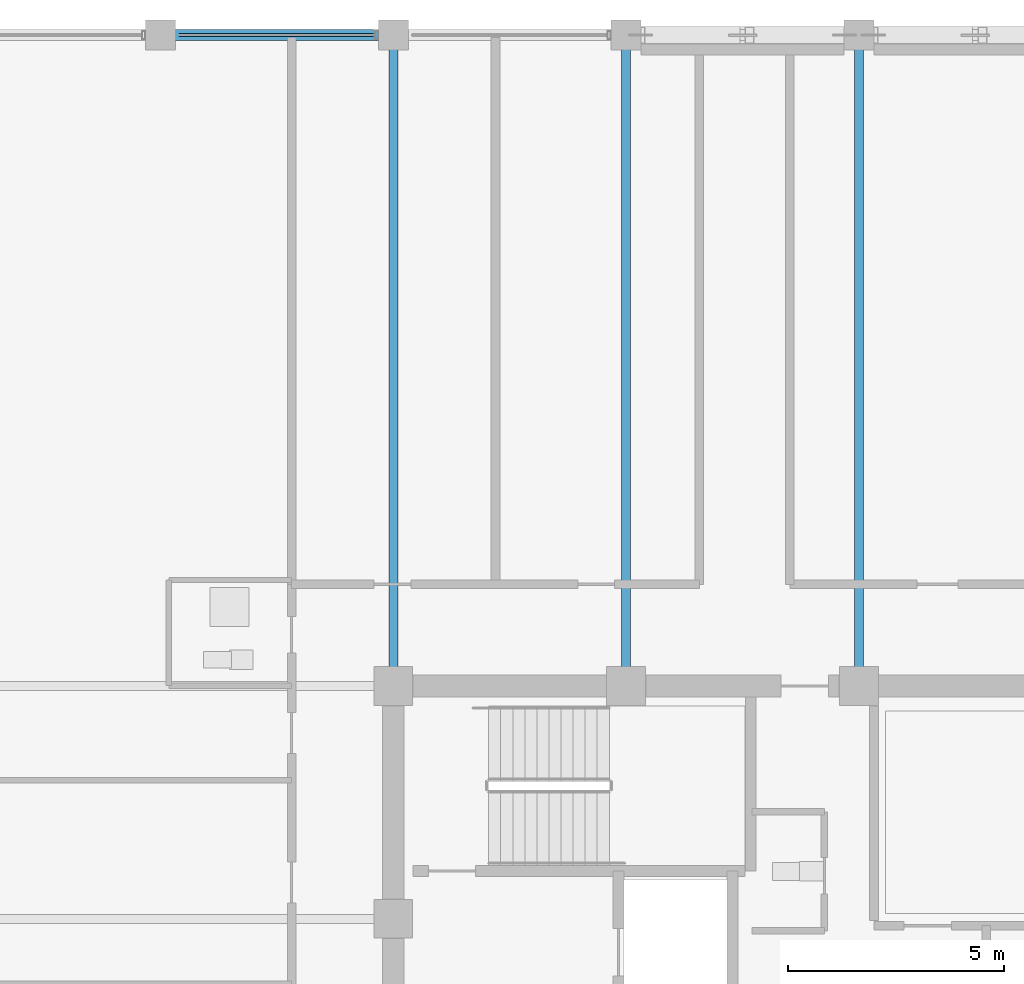
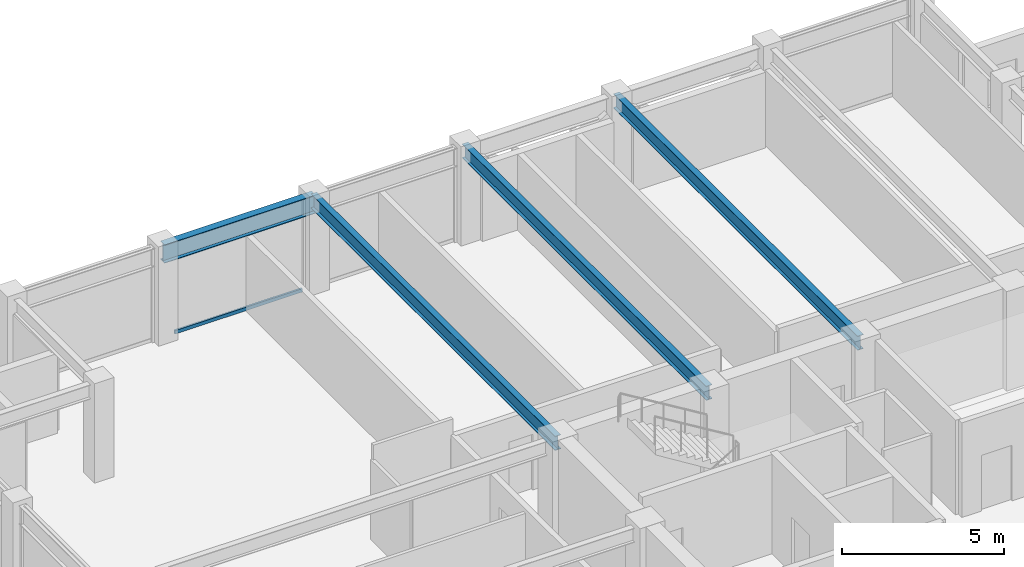
# One storey, part 17 of 30: 4 beams, 1 member, 1 element without a shape of its own.
"""IFC4 building model written with IfcOpenShell, lengths in metres."""

from ifc_helpers import new_model, si_unit, direction, frame, origin, origin_2d, place, context, subcontext, project, spatial, hollow_rectangle, i_section, extrude, material, layer, layer_set, material_profile, profile_set, type_object, element, aggregate, save


model = new_model("IFC4")

# Units and contexts
model_context = context("Model", 3, precision=1e-05, world=origin(), true_north=direction((0.0, 1.0)))
body_context = subcontext(model_context, "Body", "Model", "MODEL_VIEW")
ifc_project = project(units=[si_unit("LENGTHUNIT", "METRE"), si_unit("AREAUNIT", "SQUARE_METRE"), si_unit("VOLUMEUNIT", "CUBIC_METRE"), si_unit("PLANEANGLEUNIT", "RADIAN"), si_unit("MASSUNIT", "GRAM", prefix="KILO")], contexts=[model_context])

# Site, building, storey
site_placement = place(None, origin())
site = spatial("IfcSite", under=ifc_project, at=site_placement, CompositionType="ELEMENT")
building_placement = place(site_placement, origin())
building = spatial("IfcBuilding", under=site, at=building_placement, Name="Surkhivell Harbour Commons", CompositionType="ELEMENT")
storey_placement = place(building_placement, frame((0.0, 0.0, 281.25)))
storey = spatial("IfcBuildingStorey", under=building, at=storey_placement, Name="L73", CompositionType="ELEMENT", Elevation=281.25)

# Beams
ifc_material_1 = material(Name="Steel S355", Category="steel")
ifc_material_profile_1 = material_profile(ifc_material_1, i_section(OverallWidth=0.2099609375, OverallDepth=0.537109375, WebThickness=0.0107421875, FlangeThickness=0.017333984375, at=origin_2d()), Name="UB533x210x101")
ifc_profile_set_1 = profile_set([ifc_material_profile_1], Name="Steel S355")
beam_type_1 = type_object("IfcBeamType", Name="BM-GRD-533B", PredefinedType="BEAM", material=ifc_profile_set_1)
for number, where, z_axis, x_axis, name in (
    (1, (-10.800048828125, 10.800048828125, 3.301513671875), (0.0, 1.0, 0.0), (-1.0, 0.0, 0.0), "L73 Floor Girder (-10.8,10.8)"),
    (2, (-5.39990234375, 10.800048828125, 3.301513671875), (0.0, 1.0, 0.0), (-1.0, 0.0, 0.0), "L73 Floor Girder (-5.4,10.8)"),
    (3, (0.0, 10.800048828125, 3.301513671875), (0.0, 1.0, 0.0), (-1.0, 0.0, 0.0), "L73 Floor Girder (0.0,10.8)"),
):
    element("IfcBeam", number, at=place(storey_placement, frame(where, z_axis=z_axis, x_axis=x_axis)), inside=storey, type_object=beam_type_1, Name=name, PredefinedType="BEAM", context=body_context, shape_type="SweptSolid", body=[
        extrude(i_section(OverallWidth=0.2099609375, OverallDepth=0.537109375, WebThickness=0.0107421875, FlangeThickness=0.017333984375, at=origin_2d()), origin(), (0.0, 0.0, 1.0), 15.099853515625),
    ])
ifc_material_profile_2 = material_profile(ifc_material_1, i_section(OverallWidth=0.256103515625, OverallDepth=0.693115234375, WebThickness=0.014404296875, FlangeThickness=0.023681640625, at=origin_2d()), Name="UB686x254x170")
ifc_profile_set_2 = profile_set([ifc_material_profile_2], Name="Steel S355")
beam_type_2 = type_object("IfcBeamType", Name="BM-SPN-686", PredefinedType="SPANDREL", material=ifc_profile_set_2)
beam_placement = place(storey_placement, frame((-16.199951171875, 25.89990234375, 3.223388671875), z_axis=(1.0, 0.0, 0.0), x_axis=(0.0, 1.0, 0.0)))
element("IfcBeam", 4, at=beam_placement, inside=storey, type_object=beam_type_2, Name="L73 Tube Spandrel (-16.2,25.9)", PredefinedType="SPANDREL", context=body_context, shape_type="SweptSolid", body=[
    extrude(i_section(OverallWidth=0.256103515625, OverallDepth=0.693115234375, WebThickness=0.014404296875, FlangeThickness=0.023681640625, at=origin_2d()), origin(), (0.0, 0.0, 1.0), 5.39990234375),
])

# Curtain wall, member
ifc_material_2 = material(Name="Anodised pale-metal aluminium and insulated glazing", Category="aluminium")
ifc_layer = layer(ifc_material_2, 0.175048828125)
ifc_layer_set = layer_set([ifc_layer], Name="Anodised pale-metal aluminium and insulated glazing")
curtain_wall_type = type_object("IfcCurtainWallType", Name="CW-SYS-Z4", PredefinedType="NOTDEFINED", material=ifc_layer_set)
curtain_wall_placement = place(storey_placement, origin())
curtain_wall = element("IfcCurtainWall", 5, at=curtain_wall_placement, inside=storey, type_object=curtain_wall_type, Name="L73 Curtain Wall CW-L73-E07S2", PredefinedType="NOTDEFINED")
ifc_material_3 = material(Name="Champagne anodised aluminium alloy 6063-T6", Category="aluminium")
ifc_material_profile_3 = material_profile(ifc_material_3, hollow_rectangle(XDim=0.070068359375, YDim=0.1298828125, WallThickness=0.00341796875, at=origin_2d()), Name="ALU-TRAN-70x130")
ifc_profile_set_3 = profile_set([ifc_material_profile_3], Name="Champagne anodised aluminium alloy 6063-T6")
member_type = type_object("IfcMemberType", Name="CWT-130", PredefinedType="USERDEFINED", material=ifc_profile_set_3)
member_placement = place(storey_placement, frame((-11.22705078125, 25.89990234375, 0.06494140625), z_axis=(-1.0, 0.0, 0.0), x_axis=(0.0, -1.0, 0.0)))
member = element("IfcMember", 6, at=member_placement, type_object=member_type, Name="CW-Z4 transom 2.1", ObjectType="TRANSOM", PredefinedType="USERDEFINED", context=body_context, shape_type="SweptSolid", body=[
    extrude(hollow_rectangle(XDim=0.070068359375, YDim=0.1298828125, WallThickness=0.00341796875, at=origin_2d()), origin(), (0.0, 0.0, 1.0), 4.5458984375),
])
aggregate(curtain_wall, [member])

save(model, "model.ifc")
